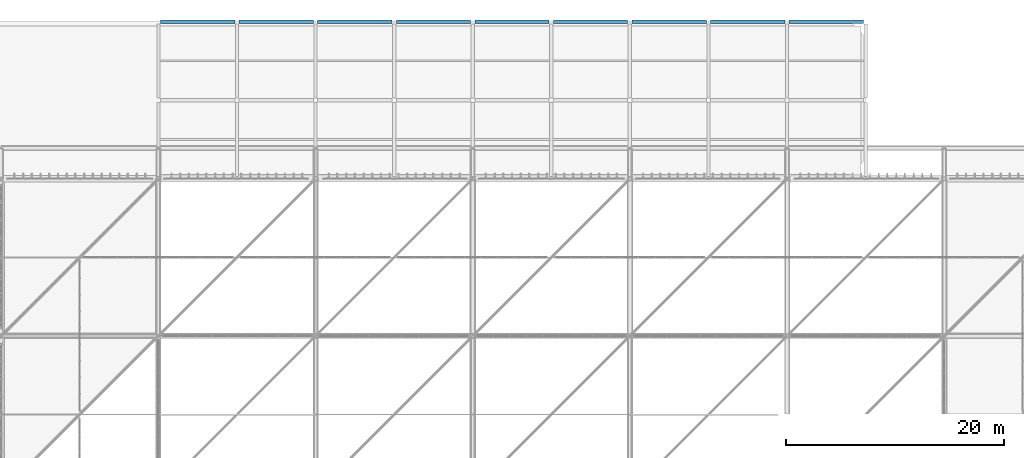
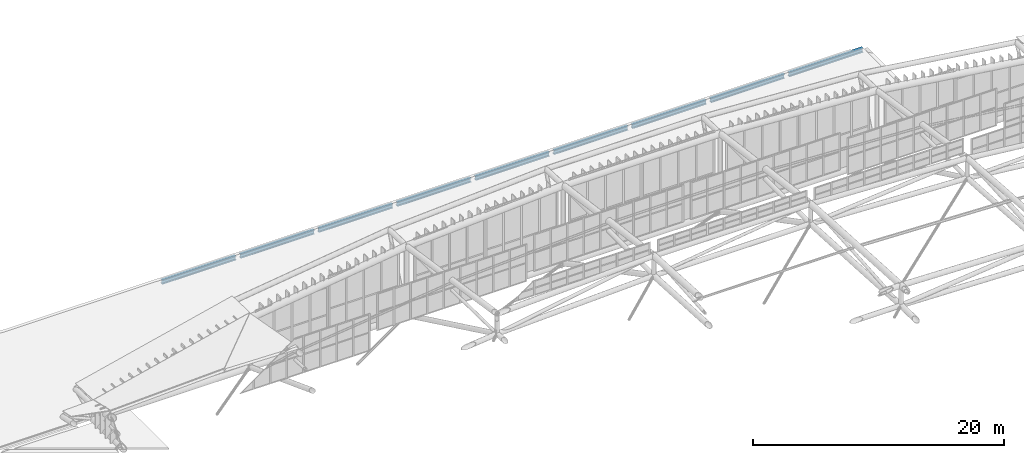
# One storey, part 356 of 397: 9 beams.
"""IFC4 building model written with IfcOpenShell, lengths in metres."""

from ifc_helpers import new_model, si_unit, direction, frame, origin, origin_2d, place, context, subcontext, project, spatial, i_section, extrude, material, material_profile, profile_set, type_object, element, save


model = new_model("IFC4")

# Units and contexts
model_context = context("Model", 3, precision=1e-05, world=origin(), true_north=direction((0.0, 1.0)))
body_context = subcontext(model_context, "Body", "Model", "MODEL_VIEW")
ifc_project = project(units=[si_unit("LENGTHUNIT", "METRE"), si_unit("AREAUNIT", "SQUARE_METRE"), si_unit("VOLUMEUNIT", "CUBIC_METRE"), si_unit("PLANEANGLEUNIT", "RADIAN"), si_unit("MASSUNIT", "GRAM", prefix="KILO")], contexts=[model_context])

# Site, building, storey
site_placement = place(None, origin())
site = spatial("IfcSite", under=ifc_project, at=site_placement, CompositionType="ELEMENT")
building_placement = place(site_placement, origin())
building = spatial("IfcBuilding", under=site, at=building_placement, Name="Qandorah Velis Arena", CompositionType="ELEMENT")
storey_placement = place(building_placement, frame((0.0, 0.0, 27.5)))
storey = spatial("IfcBuildingStorey", under=building, at=storey_placement, Name="RF", CompositionType="ELEMENT", Elevation=27.5)

# Beams
ifc_material = material(Name="Steel S355", Category="steel")
ifc_material_profile = material_profile(ifc_material, i_section(OverallWidth=0.300048828125, OverallDepth=0.39990234375, WebThickness=0.013427734375, FlangeThickness=0.02392578125, FilletRadius=0.027099609375, at=origin_2d()), Name="HEB 400")
ifc_profile_set = profile_set([ifc_material_profile], Name="Steel S355")
beam_type = type_object("IfcBeamType", Name="STR-BM-HEB400", PredefinedType="BEAM", material=ifc_profile_set)
for number, where, z_axis, x_axis, name in (
    (1, (29.0, 129.60009765625, -0.419921875), (1.0, 0.0, 0.0), (0.0, 1.0, 0.0), "Primary floor girder RF X-054"),
    (2, (36.199951171875, 129.60009765625, -0.419921875), (1.0, 0.0, 0.0), (0.0, 1.0, 0.0), "Primary floor girder RF X-055"),
    (3, (43.39990234375, 129.60009765625, -0.419921875), (1.0, 0.0, 0.0), (0.0, 1.0, 0.0), "Primary floor girder RF X-056"),
):
    element("IfcBeam", number, at=place(storey_placement, frame(where, z_axis=z_axis, x_axis=x_axis)), inside=storey, type_object=beam_type, Name=name, PredefinedType="BEAM", context=body_context, shape_type="SweptSolid", body=[
        extrude(i_section(OverallWidth=0.300048828125, OverallDepth=0.39990234375, WebThickness=0.013427734375, FlangeThickness=0.02392578125, FilletRadius=0.027099609375, at=origin_2d()), origin(), (0.0, 0.0, 1.0), 6.800048828125),
    ])
beam_1_placement = place(storey_placement, frame((50.60009765625, 129.60009765625, -0.419921875), z_axis=(1.0, 0.0, 0.0), x_axis=(0.0, 1.0, 0.0)))
element("IfcBeam", 4, at=beam_1_placement, inside=storey, type_object=beam_type, Name="Primary floor girder RF X-057", PredefinedType="BEAM", context=body_context, shape_type="SweptSolid", body=[
    extrude(i_section(OverallWidth=0.300048828125, OverallDepth=0.39990234375, WebThickness=0.013427734375, FlangeThickness=0.02392578125, FilletRadius=0.027099609375, at=origin_2d()), origin(), (0.0, 0.0, 1.0), 6.7998046875),
])
for number, where, z_axis, x_axis, name in (
    (5, (57.800048828125, 129.60009765625, -0.419921875), (1.0, 0.0, 0.0), (0.0, 1.0, 0.0), "Primary floor girder RF X-058"),
    (6, (65.0, 129.60009765625, -0.419921875), (1.0, 0.0, 0.0), (0.0, 1.0, 0.0), "Primary floor girder RF X-059"),
    (7, (72.199951171875, 129.60009765625, -0.419921875), (1.0, 0.0, 0.0), (0.0, 1.0, 0.0), "Primary floor girder RF X-060"),
    (8, (79.39990234375, 129.60009765625, -0.419921875), (1.0, 0.0, 0.0), (0.0, 1.0, 0.0), "Primary floor girder RF X-061"),
):
    element("IfcBeam", number, at=place(storey_placement, frame(where, z_axis=z_axis, x_axis=x_axis)), inside=storey, type_object=beam_type, Name=name, PredefinedType="BEAM", context=body_context, shape_type="SweptSolid", body=[
        extrude(i_section(OverallWidth=0.300048828125, OverallDepth=0.39990234375, WebThickness=0.013427734375, FlangeThickness=0.02392578125, FilletRadius=0.027099609375, at=origin_2d()), origin(), (0.0, 0.0, 1.0), 6.800048828125),
    ])
beam_2_placement = place(storey_placement, frame((86.60009765625, 129.60009765625, -0.419921875), z_axis=(1.0, 0.0, 0.0), x_axis=(0.0, 1.0, 0.0)))
element("IfcBeam", 9, at=beam_2_placement, inside=storey, type_object=beam_type, Name="Primary floor girder RF X-062", PredefinedType="BEAM", context=body_context, shape_type="SweptSolid", body=[
    extrude(i_section(OverallWidth=0.300048828125, OverallDepth=0.39990234375, WebThickness=0.013427734375, FlangeThickness=0.02392578125, FilletRadius=0.027099609375, at=origin_2d()), origin(), (0.0, 0.0, 1.0), 6.7998046875),
])

save(model, "model.ifc")
